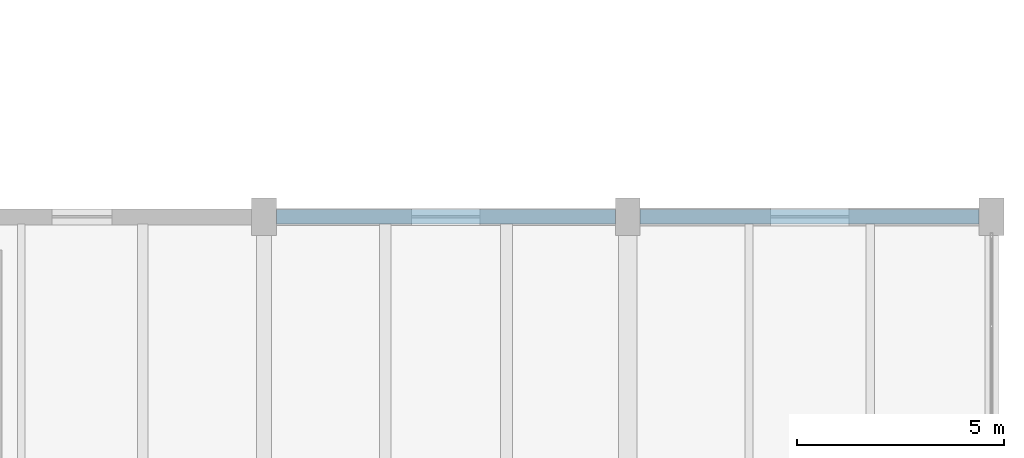
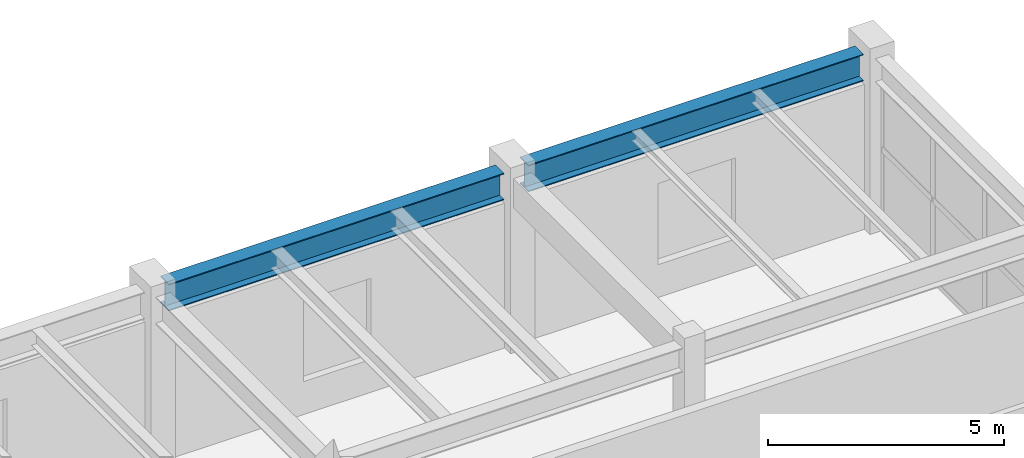
# One storey, part 32 of 62: 2 beams.
"""IFC4 building model written with IfcOpenShell, lengths in metres."""

from ifc_helpers import new_model, si_unit, direction, frame, origin, origin_2d, place, context, subcontext, project, spatial, i_section, extrude, material, material_profile, profile_set, type_object, element, save


model = new_model("IFC4")

# Units and contexts
model_context = context("Model", 3, precision=1e-05, world=origin(), true_north=direction((0.0, 1.0)))
body_context = subcontext(model_context, "Body", "Model", "MODEL_VIEW")
ifc_project = project(units=[si_unit("LENGTHUNIT", "METRE"), si_unit("AREAUNIT", "SQUARE_METRE"), si_unit("VOLUMEUNIT", "CUBIC_METRE"), si_unit("PLANEANGLEUNIT", "RADIAN"), si_unit("MASSUNIT", "GRAM", prefix="KILO")], contexts=[model_context])

# Site, building, storey
site_placement = place(None, origin())
site = spatial("IfcSite", under=ifc_project, at=site_placement, CompositionType="ELEMENT")
building_placement = place(site_placement, origin())
building = spatial("IfcBuilding", under=site, at=building_placement, Name="Vaelkrest Opera House", CompositionType="ELEMENT")
storey_placement = place(building_placement, frame((0.0, 0.0, 19.800048828125)))
storey = spatial("IfcBuildingStorey", under=building, at=storey_placement, Name="L04", CompositionType="ELEMENT", Elevation=19.800048828125)

# Beams
ifc_material = material(Name="Steel A992 Gr50", Category="steel")
ifc_material_profile = material_profile(ifc_material, i_section(OverallWidth=0.35498046875, OverallDepth=0.695068359375, WebThickness=0.015380859375, FlangeThickness=0.02490234375, at=origin_2d()), Name="W27X146")
ifc_profile_set = profile_set([ifc_material_profile], Name="Steel A992 Gr50")
beam_type = type_object("IfcBeamType", Name="SP02", PredefinedType="SPANDREL", material=ifc_profile_set)
for number, where, z_axis, x_axis, name in (
    (1, (51.5, 25.199951171875, 4.157470703125), (1.0, 0.0, 0.0), (0.0, 1.0, 0.0), "Beam BM-V4-L04-2414"),
    (2, (60.300048828125, 25.199951171875, 4.157470703125), (1.0, 0.0, 0.0), (0.0, 1.0, 0.0), "Beam BM-V4-L04-2415"),
):
    element("IfcBeam", number, at=place(storey_placement, frame(where, z_axis=z_axis, x_axis=x_axis)), inside=storey, type_object=beam_type, Name=name, PredefinedType="SPANDREL", context=body_context, shape_type="SweptSolid", body=[
        extrude(i_section(OverallWidth=0.35498046875, OverallDepth=0.695068359375, WebThickness=0.015380859375, FlangeThickness=0.02490234375, at=origin_2d()), origin(), (0.0, 0.0, 1.0), 8.199951171875),
    ])

save(model, "model.ifc")
